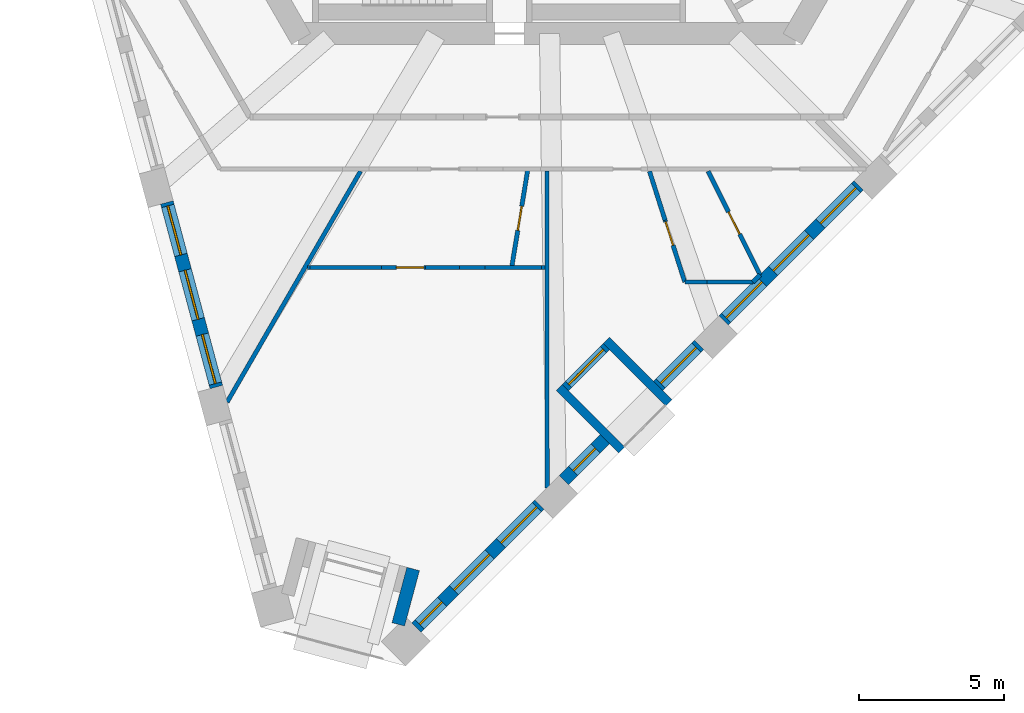
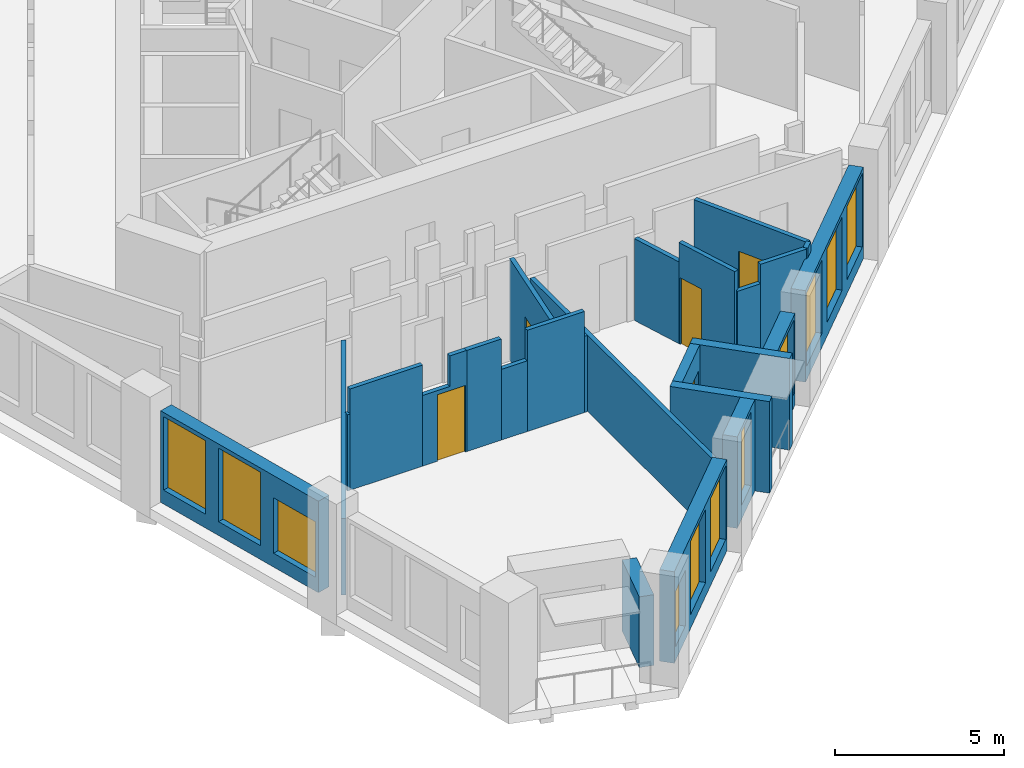
# One storey, part 2 of 13: 25 walls, 11 windows, 5 doors, 16 openings.
"""IFC4 building model written with IfcOpenShell, lengths in metres."""

from ifc_helpers import new_model, si_unit, direction, frame, frame_2d, origin, place, context, subcontext, project, spatial, polyline, rectangle, outline, extrude, material, layer, layer_set, type_object, element, fill, save


model = new_model("IFC4")

# Units and contexts
model_context = context("Model", 3, precision=1e-05, world=origin(), true_north=direction((0.0, 1.0)))
body_context = subcontext(model_context, "Body", "Model", "MODEL_VIEW")
ifc_project = project(units=[si_unit("LENGTHUNIT", "METRE"), si_unit("AREAUNIT", "SQUARE_METRE"), si_unit("VOLUMEUNIT", "CUBIC_METRE"), si_unit("PLANEANGLEUNIT", "RADIAN"), si_unit("MASSUNIT", "GRAM", prefix="KILO")], contexts=[model_context])

# Site, building, storey
site_placement = place(None, origin())
site = spatial("IfcSite", under=ifc_project, at=site_placement, CompositionType="ELEMENT")
building_placement = place(site_placement, origin())
building = spatial("IfcBuilding", under=site, at=building_placement, Name="Tramontana Tower", CompositionType="ELEMENT")
storey_placement = place(building_placement, frame((0.0, 0.0, 200.0)))
storey = spatial("IfcBuildingStorey", under=building, at=storey_placement, Name="L46", CompositionType="ELEMENT", Elevation=200.0)

# Wall, openings, windows
ifc_material_1 = material(Name="Precast concrete 60 MPa", Category="concrete")
ifc_layer_1 = layer(ifc_material_1, 0.449951171875)
ifc_layer_set_1 = layer_set([ifc_layer_1], Name="Precast concrete 60 MPa, 450 mm")
wall_type_1 = type_object("IfcWallType", Name="EW1 Stone-faced precast wall 450", PredefinedType="SOLIDWALL", material=ifc_layer_set_1)
wall_1_placement = place(storey_placement, frame((-13.11328125, -12.2041015625, 0.0), z_axis=(0.0, 0.0, 1.0), x_axis=(0.258835402268, -0.965921443251, 0.0)))
wall_1 = element("IfcWall", 1, at=wall_1_placement, inside=storey, type_object=wall_type_1, Name="External wall L46 face 0 bay 5", PredefinedType="SOLIDWALL", context=body_context, shape_type="SweptSolid", body=[
    extrude(rectangle(XDim=6.593994140625, YDim=0.449951171875, at=frame_2d((3.296875, 0.0))), origin(), (0.0, 0.0, 1.0), 3.300048828125),
])
opening_1_placement = place(wall_1_placement, frame((0.1240234375, 0.0, 0.5)))
opening_1 = element("IfcOpeningElement", 2, at=opening_1_placement, cuts=wall_1, Name="Opening M2", PredefinedType="OPENING", context=body_context, shape_type="SweptSolid", body=[
    extrude(rectangle(XDim=1.75, YDim=2.64990234375, at=frame_2d((0.875, 1.324951171875))), frame((0.0, 0.23486328125, 0.0), z_axis=(0.0, -1.0, 0.0), x_axis=(1.0, 0.0, 0.0)), (0.0, 0.0, 1.0), 0.469970703125),
])
opening_2_placement = place(wall_1_placement, frame((2.422119140625, 0.0, 0.5)))
opening_2 = element("IfcOpeningElement", 3, at=opening_2_placement, cuts=wall_1, Name="Opening M2", PredefinedType="OPENING", context=body_context, shape_type="SweptSolid", body=[
    extrude(rectangle(XDim=1.75, YDim=2.64990234375, at=frame_2d((0.875, 1.324951171875))), frame((0.0, 0.23486328125, 0.0), z_axis=(0.0, -1.0, 0.0), x_axis=(1.0, 0.0, 0.0)), (0.0, 0.0, 1.0), 0.469970703125),
])
opening_3_placement = place(wall_1_placement, frame((4.72021484375, 0.0, 0.5)))
opening_3 = element("IfcOpeningElement", 4, at=opening_3_placement, cuts=wall_1, Name="Opening M2L", PredefinedType="OPENING", context=body_context, shape_type="SweptSolid", body=[
    extrude(rectangle(XDim=1.75, YDim=2.0, at=frame_2d((0.875, 1.0))), frame((0.0, 0.23486328125, 0.0), z_axis=(0.0, -1.0, 0.0), x_axis=(1.0, 0.0, 0.0)), (0.0, 0.0, 1.0), 0.469970703125),
])
ifc_material_2 = material(Name="Aluminum frame, double glazing unit", Category="aluminium")
window_type_1 = type_object("IfcWindowType", Name="M2 Window 1.75 x 2.65", PartitioningType="SINGLE_PANEL", PredefinedType="WINDOW", material=ifc_material_2)
window_1_placement = place(opening_1_placement, origin())
window_1 = element("IfcWindow", 5, at=window_1_placement, inside=storey, type_object=window_type_1, Name="Window M2 L46 face 0 module 13", OverallHeight=2.64990234375, OverallWidth=1.75, PartitioningType="SINGLE_PANEL", PredefinedType="WINDOW", context=body_context, shape_type="SweptSolid", body=[
    extrude(rectangle(XDim=1.75, YDim=2.64990234375, at=frame_2d((0.875, 1.324951171875))), frame((0.0, 0.030029296875, 0.0), z_axis=(0.0, -1.0, 0.0), x_axis=(1.0, 0.0, 0.0)), (0.0, 0.0, 1.0), 0.06005859375),
])
fill(opening_1, window_1)
window_2_placement = place(opening_2_placement, origin())
window_2 = element("IfcWindow", 6, at=window_2_placement, inside=storey, type_object=window_type_1, Name="Window M2 L46 face 0 module 14", OverallHeight=2.64990234375, OverallWidth=1.75, PartitioningType="SINGLE_PANEL", PredefinedType="WINDOW", context=body_context, shape_type="SweptSolid", body=[
    extrude(rectangle(XDim=1.75, YDim=2.64990234375, at=frame_2d((0.875, 1.324951171875))), frame((0.0, 0.030029296875, 0.0), z_axis=(0.0, -1.0, 0.0), x_axis=(1.0, 0.0, 0.0)), (0.0, 0.0, 1.0), 0.06005859375),
])
fill(opening_2, window_2)
ifc_material_3 = material(Name="Aluminum frame, double glazing unit", Category="aluminium")
window_type_2 = type_object("IfcWindowType", Name="M2L Window 1.75 x 2", PartitioningType="SINGLE_PANEL", PredefinedType="WINDOW", material=ifc_material_3)
window_3_placement = place(opening_3_placement, origin())
window_3 = element("IfcWindow", 7, at=window_3_placement, inside=storey, type_object=window_type_2, Name="Window M2L L46 face 0 module 15", OverallHeight=2.0, OverallWidth=1.75, PartitioningType="SINGLE_PANEL", PredefinedType="WINDOW", context=body_context, shape_type="SweptSolid", body=[
    extrude(rectangle(XDim=1.75, YDim=2.0, at=frame_2d((0.875, 1.0))), frame((0.0, 0.030029296875, 0.0), z_axis=(0.0, -1.0, 0.0), x_axis=(1.0, 0.0, 0.0)), (0.0, 0.0, 1.0), 0.06005859375),
])
fill(opening_3, window_3)

wall_2_placement = place(storey_placement, frame((-4.49560546875, -26.87548828125, 0.0), z_axis=(0.0, 0.0, 1.0), x_axis=(0.707106781187, 0.707106781187, 0.0)))
wall_2 = element("IfcWall", 8, at=wall_2_placement, inside=storey, type_object=wall_type_1, Name="External wall L46 face 1 bay 1", PredefinedType="SOLIDWALL", context=body_context, shape_type="SweptSolid", body=[
    extrude(rectangle(XDim=5.994140625, YDim=0.449951171875, at=frame_2d((2.9970703125, 0.0))), origin(), (0.0, 0.0, 1.0), 3.300048828125),
])
opening_4_placement = place(wall_2_placement, frame((0.14892578125, 0.0, 0.5)))
opening_4 = element("IfcOpeningElement", 9, at=opening_4_placement, cuts=wall_2, Name="Opening N2L", PredefinedType="OPENING", context=body_context, shape_type="SweptSolid", body=[
    extrude(rectangle(XDim=1.10009765625, YDim=2.0, at=frame_2d((0.550048828125, 1.0))), frame((0.0, 0.23486328125, 0.0), z_axis=(0.0, -1.0, 0.0), x_axis=(1.0, 0.0, 0.0)), (0.0, 0.0, 1.0), 0.469970703125),
])
opening_5_placement = place(wall_2_placement, frame((1.822021484375, 0.0, 0.5)))
opening_5 = element("IfcOpeningElement", 10, at=opening_5_placement, cuts=wall_2, Name="Opening M2", PredefinedType="OPENING", context=body_context, shape_type="SweptSolid", body=[
    extrude(rectangle(XDim=1.75, YDim=2.64990234375, at=frame_2d((0.875, 1.324951171875))), frame((0.0, 0.23486328125, 0.0), z_axis=(0.0, -1.0, 0.0), x_axis=(1.0, 0.0, 0.0)), (0.0, 0.0, 1.0), 0.469970703125),
])
opening_6_placement = place(wall_2_placement, frame((4.1201171875, 0.0, 0.5)))
opening_6 = element("IfcOpeningElement", 11, at=opening_6_placement, cuts=wall_2, Name="Opening M2", PredefinedType="OPENING", context=body_context, shape_type="SweptSolid", body=[
    extrude(rectangle(XDim=1.75, YDim=2.64990234375, at=frame_2d((0.875, 1.324951171875))), frame((0.0, 0.23486328125, 0.0), z_axis=(0.0, -1.0, 0.0), x_axis=(1.0, 0.0, 0.0)), (0.0, 0.0, 1.0), 0.469970703125),
])
window_4_placement = place(opening_5_placement, origin())
window_4 = element("IfcWindow", 12, at=window_4_placement, inside=storey, type_object=window_type_1, Name="Window M2 L46 face 1 module 2", OverallHeight=2.64990234375, OverallWidth=1.75, PartitioningType="SINGLE_PANEL", PredefinedType="WINDOW", context=body_context, shape_type="SweptSolid", body=[
    extrude(rectangle(XDim=1.75, YDim=2.64990234375, at=frame_2d((0.875, 1.324951171875))), frame((0.0, 0.030029296875, 0.0), z_axis=(0.0, -1.0, 0.0), x_axis=(1.0, 0.0, 0.0)), (0.0, 0.0, 1.0), 0.06005859375),
])
fill(opening_5, window_4)
window_5_placement = place(opening_6_placement, origin())
window_5 = element("IfcWindow", 13, at=window_5_placement, inside=storey, type_object=window_type_1, Name="Window M2 L46 face 1 module 3", OverallHeight=2.64990234375, OverallWidth=1.75, PartitioningType="SINGLE_PANEL", PredefinedType="WINDOW", context=body_context, shape_type="SweptSolid", body=[
    extrude(rectangle(XDim=1.75, YDim=2.64990234375, at=frame_2d((0.875, 1.324951171875))), frame((0.0, 0.030029296875, 0.0), z_axis=(0.0, -1.0, 0.0), x_axis=(1.0, 0.0, 0.0)), (0.0, 0.0, 1.0), 0.06005859375),
])
fill(opening_6, window_5)
ifc_material_4 = material(Name="Aluminum frame, double glazing unit", Category="aluminium")
window_type_3 = type_object("IfcWindowType", Name="N2L Window 1.1 x 2", PartitioningType="SINGLE_PANEL", PredefinedType="WINDOW", material=ifc_material_4)
window_6_placement = place(opening_4_placement, origin())
window_6 = element("IfcWindow", 14, at=window_6_placement, inside=storey, type_object=window_type_3, Name="Window N2L L46 face 1 module 1", OverallHeight=2.0, OverallWidth=1.10009765625, PartitioningType="SINGLE_PANEL", PredefinedType="WINDOW", context=body_context, shape_type="SweptSolid", body=[
    extrude(rectangle(XDim=1.10009765625, YDim=2.0, at=frame_2d((0.550048828125, 1.0))), frame((0.0, 0.030029296875, 0.0), z_axis=(0.0, -1.0, 0.0), x_axis=(1.0, 0.0, 0.0)), (0.0, 0.0, 1.0), 0.06005859375),
])
fill(opening_4, window_6)

# Wall, opening, window
wall_3_placement = place(storey_placement, frame((0.591552734375, -21.788330078125, 0.0), z_axis=(0.0, 0.0, 1.0), x_axis=(0.707106781187, 0.707106781187, 0.0)))
wall_3 = element("IfcWall", 15, at=wall_3_placement, inside=storey, type_object=wall_type_1, Name="External wall L46 face 1 bay 2", PredefinedType="SOLIDWALL", context=body_context, shape_type="SweptSolid", body=[
    extrude(rectangle(XDim=1.998046875, YDim=0.449951171875, at=frame_2d((0.9990234375, 0.0))), origin(), (0.0, 0.0, 1.0), 3.300048828125),
])
opening_7_placement = place(wall_3_placement, frame((0.448974609375, 0.0, 0.5)))
opening_7 = element("IfcOpeningElement", 16, at=opening_7_placement, cuts=wall_3, Name="Opening N2", PredefinedType="OPENING", context=body_context, shape_type="SweptSolid", body=[
    extrude(rectangle(XDim=1.10009765625, YDim=2.64990234375, at=frame_2d((0.550048828125, 1.324951171875))), frame((0.0, 0.23486328125, 0.0), z_axis=(0.0, -1.0, 0.0), x_axis=(1.0, 0.0, 0.0)), (0.0, 0.0, 1.0), 0.469970703125),
])
ifc_material_5 = material(Name="Aluminum frame, double glazing unit", Category="aluminium")
window_type_4 = type_object("IfcWindowType", Name="N2 Window 1.1 x 2.65", PartitioningType="SINGLE_PANEL", PredefinedType="WINDOW", material=ifc_material_5)
window_7_placement = place(opening_7_placement, origin())
window_7 = element("IfcWindow", 17, at=window_7_placement, inside=storey, type_object=window_type_4, Name="Window N2 L46 face 1 module 4", OverallHeight=2.64990234375, OverallWidth=1.10009765625, PartitioningType="SINGLE_PANEL", PredefinedType="WINDOW", context=body_context, shape_type="SweptSolid", body=[
    extrude(rectangle(XDim=1.10009765625, YDim=2.64990234375, at=frame_2d((0.550048828125, 1.324951171875))), frame((0.0, 0.030029296875, 0.0), z_axis=(0.0, -1.0, 0.0), x_axis=(1.0, 0.0, 0.0)), (0.0, 0.0, 1.0), 0.06005859375),
])
fill(opening_7, window_7)

wall_4_placement = place(storey_placement, frame((3.841552734375, -18.538330078125, 0.0), z_axis=(0.0, 0.0, 1.0), x_axis=(0.707106781187, 0.707106781187, 0.0)))
wall_4 = element("IfcWall", 18, at=wall_4_placement, inside=storey, type_object=wall_type_1, Name="External wall L46 face 1 bay 2", PredefinedType="SOLIDWALL", context=body_context, shape_type="SweptSolid", body=[
    extrude(rectangle(XDim=1.998046875, YDim=0.449951171875, at=frame_2d((0.9990234375, 0.0))), origin(), (0.0, 0.0, 1.0), 3.300048828125),
])
opening_8_placement = place(wall_4_placement, frame((0.1240234375, 0.0, 0.5)))
opening_8 = element("IfcOpeningElement", 19, at=opening_8_placement, cuts=wall_4, Name="Opening M2", PredefinedType="OPENING", context=body_context, shape_type="SweptSolid", body=[
    extrude(rectangle(XDim=1.75, YDim=2.64990234375, at=frame_2d((0.875, 1.324951171875))), frame((0.0, 0.23486328125, 0.0), z_axis=(0.0, -1.0, 0.0), x_axis=(1.0, 0.0, 0.0)), (0.0, 0.0, 1.0), 0.469970703125),
])
window_8_placement = place(opening_8_placement, origin())
window_8 = element("IfcWindow", 20, at=window_8_placement, inside=storey, type_object=window_type_1, Name="Window M2 L46 face 1 module 6", OverallHeight=2.64990234375, OverallWidth=1.75, PartitioningType="SINGLE_PANEL", PredefinedType="WINDOW", context=body_context, shape_type="SweptSolid", body=[
    extrude(rectangle(XDim=1.75, YDim=2.64990234375, at=frame_2d((0.875, 1.324951171875))), frame((0.0, 0.030029296875, 0.0), z_axis=(0.0, -1.0, 0.0), x_axis=(1.0, 0.0, 0.0)), (0.0, 0.0, 1.0), 0.06005859375),
])
fill(opening_8, window_8)

# Wall, openings, windows
wall_5_placement = place(storey_placement, frame((6.102783203125, -16.277099609375, 0.0), z_axis=(0.0, 0.0, 1.0), x_axis=(0.707106781187, 0.707106781187, 0.0)))
wall_5 = element("IfcWall", 21, at=wall_5_placement, inside=storey, type_object=wall_type_1, Name="External wall L46 face 1 bay 3", PredefinedType="SOLIDWALL", context=body_context, shape_type="SweptSolid", body=[
    extrude(rectangle(XDim=6.59423828125, YDim=0.449951171875, at=frame_2d((3.297119140625, 0.0))), origin(), (0.0, 0.0, 1.0), 3.300048828125),
])
opening_9_placement = place(wall_5_placement, frame((0.1240234375, 0.0, 0.5)))
opening_9 = element("IfcOpeningElement", 22, at=opening_9_placement, cuts=wall_5, Name="Opening M2", PredefinedType="OPENING", context=body_context, shape_type="SweptSolid", body=[
    extrude(rectangle(XDim=1.75, YDim=2.64990234375, at=frame_2d((0.875, 1.324951171875))), frame((0.0, 0.23486328125, 0.0), z_axis=(0.0, -1.0, 0.0), x_axis=(1.0, 0.0, 0.0)), (0.0, 0.0, 1.0), 0.469970703125),
])
opening_10_placement = place(wall_5_placement, frame((2.422119140625, 0.0, 0.5)))
opening_10 = element("IfcOpeningElement", 23, at=opening_10_placement, cuts=wall_5, Name="Opening M2", PredefinedType="OPENING", context=body_context, shape_type="SweptSolid", body=[
    extrude(rectangle(XDim=1.75, YDim=2.64990234375, at=frame_2d((0.875, 1.324951171875))), frame((0.0, 0.23486328125, 0.0), z_axis=(0.0, -1.0, 0.0), x_axis=(1.0, 0.0, 0.0)), (0.0, 0.0, 1.0), 0.469970703125),
])
opening_11_placement = place(wall_5_placement, frame((4.72021484375, 0.0, 0.5)))
opening_11 = element("IfcOpeningElement", 24, at=opening_11_placement, cuts=wall_5, Name="Opening M2", PredefinedType="OPENING", context=body_context, shape_type="SweptSolid", body=[
    extrude(rectangle(XDim=1.75, YDim=2.64990234375, at=frame_2d((0.875, 1.324951171875))), frame((0.0, 0.23486328125, 0.0), z_axis=(0.0, -1.0, 0.0), x_axis=(1.0, 0.0, 0.0)), (0.0, 0.0, 1.0), 0.469970703125),
])
window_9_placement = place(opening_9_placement, origin())
window_9 = element("IfcWindow", 25, at=window_9_placement, inside=storey, type_object=window_type_1, Name="Window M2 L46 face 1 module 7", OverallHeight=2.64990234375, OverallWidth=1.75, PartitioningType="SINGLE_PANEL", PredefinedType="WINDOW", context=body_context, shape_type="SweptSolid", body=[
    extrude(rectangle(XDim=1.75, YDim=2.64990234375, at=frame_2d((0.875, 1.324951171875))), frame((0.0, 0.030029296875, 0.0), z_axis=(0.0, -1.0, 0.0), x_axis=(1.0, 0.0, 0.0)), (0.0, 0.0, 1.0), 0.06005859375),
])
fill(opening_9, window_9)
window_10_placement = place(opening_10_placement, origin())
window_10 = element("IfcWindow", 26, at=window_10_placement, inside=storey, type_object=window_type_1, Name="Window M2 L46 face 1 module 8", OverallHeight=2.64990234375, OverallWidth=1.75, PartitioningType="SINGLE_PANEL", PredefinedType="WINDOW", context=body_context, shape_type="SweptSolid", body=[
    extrude(rectangle(XDim=1.75, YDim=2.64990234375, at=frame_2d((0.875, 1.324951171875))), frame((0.0, 0.030029296875, 0.0), z_axis=(0.0, -1.0, 0.0), x_axis=(1.0, 0.0, 0.0)), (0.0, 0.0, 1.0), 0.06005859375),
])
fill(opening_10, window_10)
window_11_placement = place(opening_11_placement, origin())
window_11 = element("IfcWindow", 27, at=window_11_placement, inside=storey, type_object=window_type_1, Name="Window M2 L46 face 1 module 9", OverallHeight=2.64990234375, OverallWidth=1.75, PartitioningType="SINGLE_PANEL", PredefinedType="WINDOW", context=body_context, shape_type="SweptSolid", body=[
    extrude(rectangle(XDim=1.75, YDim=2.64990234375, at=frame_2d((0.875, 1.324951171875))), frame((0.0, 0.030029296875, 0.0), z_axis=(0.0, -1.0, 0.0), x_axis=(1.0, 0.0, 0.0)), (0.0, 0.0, 1.0), 0.06005859375),
])
fill(opening_11, window_11)

# Wall
wall_6_placement = place(storey_placement, frame((-5.126708984375, -26.76416015625, 0.0), z_axis=(0.0, 0.0, 1.0), x_axis=(0.258814190615, 0.965927127032, 0.0)))
element("IfcWall", 28, at=wall_6_placement, inside=storey, type_object=wall_type_1, Name="Corner loggia side wall L46 K51l", PredefinedType="SOLIDWALL", context=body_context, shape_type="SweptSolid", body=[
    extrude(rectangle(XDim=1.97900390625, YDim=0.449951171875, at=frame_2d((0.989501953125, 0.0))), origin(), (0.0, 0.0, 1.0), 2.550048828125),
])

# Wall, opening, door
ifc_material_6 = material(Name="Precast concrete 60 MPa", Category="concrete")
ifc_layer_2 = layer(ifc_material_6, 0.300048828125)
ifc_layer_set_2 = layer_set([ifc_layer_2], Name="LW1 Stone-faced loggia wall 300")
wall_type_2 = type_object("IfcWallType", Name="LW1 Stone-faced loggia wall 300", PredefinedType="SOLIDWALL", material=ifc_layer_set_2)
wall_7_placement = place(storey_placement, frame((0.643310546875, -18.590087890625, 0.0), z_axis=(0.0, 0.0, 1.0), x_axis=(0.707106781187, 0.707106781187, 0.0)))
wall_7 = element("IfcWall", 29, at=wall_7_placement, inside=storey, type_object=wall_type_2, Name="Loggia wall L46 G5S1.4", PredefinedType="SOLIDWALL", context=body_context, shape_type="SweptSolid", body=[
    extrude(rectangle(XDim=1.998046875, YDim=0.300048828125, at=frame_2d((0.9990234375, 0.0))), origin(), (0.0, 0.0, 1.0), 3.300048828125),
])
opening_12_placement = place(wall_7_placement, frame((0.14892578125, 0.0, 0.0)))
opening_12 = element("IfcOpeningElement", 30, at=opening_12_placement, cuts=wall_7, Name="Opening BD-5S1-04", PredefinedType="OPENING", context=body_context, shape_type="SweptSolid", body=[
    extrude(rectangle(XDim=1.699951171875, YDim=2.449951171875, at=frame_2d((0.85009765625, 1.22509765625))), frame((0.0, 0.159912109375, 0.0), z_axis=(0.0, -1.0, 0.0), x_axis=(1.0, 0.0, 0.0)), (0.0, 0.0, 1.0), 0.320068359375),
])
ifc_material_7 = material(Name="Aluminum frame, double glazing unit", Category="aluminium")
door_type_1 = type_object("IfcDoorType", Name="BD2 Sliding door 1.7 x 2.45", OperationType="SLIDING_TO_LEFT", PredefinedType="DOOR", material=ifc_material_7)
door_1_placement = place(opening_12_placement, origin())
door_1 = element("IfcDoor", 31, at=door_1_placement, inside=storey, type_object=door_type_1, Name="Loggia door L46 G5S1.4", OperationType="SLIDING_TO_LEFT", OverallHeight=2.449951171875, OverallWidth=1.699951171875, PredefinedType="DOOR", context=body_context, shape_type="SweptSolid", body=[
    extrude(rectangle(XDim=1.699951171875, YDim=2.449951171875, at=frame_2d((0.85009765625, 1.22509765625))), frame((0.0, 0.02490234375, 0.0), z_axis=(0.0, -1.0, 0.0), x_axis=(1.0, 0.0, 0.0)), (0.0, 0.0, 1.0), 0.050048828125),
])
fill(opening_12, door_1)

# Walls
for number, where, z_axis, x_axis, name in (
    (32, (2.587646484375, -20.746826171875, 0.0), (0.0, 0.0, 1.0), (-0.707066755897, 0.707146804211, 0.0), "Loggia return L46 G5S1.4a"),
    (33, (4.212646484375, -19.121826171875, 0.0), (0.0, 0.0, 1.0), (-0.707066755897, 0.707146804211, 0.0), "Loggia return L46 G5S1.4b"),
):
    element("IfcWall", number, at=place(storey_placement, frame(where, z_axis=z_axis, x_axis=x_axis)), inside=storey, type_object=wall_type_2, Name=name, PredefinedType="SOLIDWALL", context=body_context, shape_type="SweptSolid", body=[
        extrude(rectangle(XDim=3.0498046875, YDim=0.300048828125, at=frame_2d((1.52490234375, 0.0))), origin(), (0.0, 0.0, 1.0), 3.300048828125),
    ])
ifc_material_8 = material(Name="Gypsum board partition")
ifc_layer_3 = layer(ifc_material_8, 0.14990234375)
ifc_layer_set_3 = layer_set([ifc_layer_3], Name="PARTITION 150")
wall_type_3 = type_object("IfcWallType", Name="PARTITION 150", PredefinedType="PARTITIONING", material=ifc_layer_set_3)
wall_8_placement = place(storey_placement, frame((-11.033935546875, -19.0947265625, 0.0), z_axis=(0.0, 0.0, 1.0), x_axis=(0.500337694151, 0.86583034817, 0.0)))
element("IfcWall", 34, at=wall_8_placement, inside=storey, type_object=wall_type_3, Name="Wall v50-pw04-0", PredefinedType="PARTITIONING", context=body_context, shape_type="SweptSolid", body=[
    extrude(rectangle(XDim=9.204833984375, YDim=0.14990234375, at=frame_2d((4.6025390625, 0.0))), origin(), (0.0, 0.0, 1.0), 2.75),
])

# Wall, opening, door
wall_9_placement = place(storey_placement, frame((-0.6552734375, -11.052001953125, 0.0), z_axis=(0.0, 0.0, 1.0), x_axis=(-0.162305002106, -0.986740637803, 0.0)))
wall_9 = element("IfcWall", 35, at=wall_9_placement, inside=storey, type_object=wall_type_3, Name="Wall v50-pw09", PredefinedType="PARTITIONING", context=body_context, shape_type="SweptSolid", body=[
    extrude(rectangle(XDim=3.441650390625, YDim=0.14990234375, at=frame_2d((1.720703125, 0.0))), origin(), (0.0, 0.0, 1.0), 3.64990234375),
])
opening_13_placement = place(wall_9_placement, frame((1.295654296875, 0.0, 0.0)))
opening_13 = element("IfcOpeningElement", 36, at=opening_13_placement, cuts=wall_9, Name="Opening B5A-20", PredefinedType="OPENING", context=body_context, shape_type="SweptSolid", body=[
    extrude(rectangle(XDim=0.85009765625, YDim=2.39990234375, at=frame_2d((0.425048828125, 1.199951171875))), frame((0.0, 0.0849609375, 0.0), z_axis=(0.0, -1.0, 0.0), x_axis=(1.0, 0.0, 0.0)), (0.0, 0.0, 1.0), 0.169921875),
])
ifc_material_9 = material(Name="Painted timber", Category="wood")
door_type_2 = type_object("IfcDoorType", Name="DOOR BATH 850", OperationType="SINGLE_SWING_LEFT", PredefinedType="DOOR", material=ifc_material_9)
door_2_placement = place(opening_13_placement, origin())
door_2 = element("IfcDoor", 37, at=door_2_placement, inside=storey, type_object=door_type_2, Name="Door B5A-20", OperationType="SINGLE_SWING_RIGHT", OverallHeight=2.39990234375, OverallWidth=0.85009765625, PredefinedType="DOOR", context=body_context, shape_type="SweptSolid", body=[
    extrude(rectangle(XDim=0.85009765625, YDim=2.39990234375, at=frame_2d((0.425048828125, 1.199951171875))), frame((0.0, 0.02490234375, 0.0), z_axis=(0.0, -1.0, 0.0), x_axis=(1.0, 0.0, 0.0)), (0.0, 0.0, 1.0), 0.050048828125),
])
fill(opening_13, door_2)

# Walls
wall_10_placement = place(storey_placement, frame((0.004150390625, -11.125, 0.0), z_axis=(0.0, 0.0, 1.0), x_axis=(0.00035743804, -0.999999936119, 0.0)))
element("IfcWall", 38, at=wall_10_placement, inside=storey, type_object=wall_type_3, Name="Wall v50-pw10-0", PredefinedType="PARTITIONING", context=body_context, shape_type="SweptSolid", body=[
    extrude(rectangle(XDim=10.928466796875, YDim=0.14990234375, at=frame_2d((5.46435546875, 0.0))), origin(), (0.0, 0.0, 1.0), 2.75),
])
wall_11_placement = place(storey_placement, frame((-0.069580078125, -14.449951171875, 0.0), z_axis=(0.0, 0.0, 1.0), x_axis=(-1.0, 0.0, 0.0)))
element("IfcWall", 39, at=wall_11_placement, inside=storey, type_object=wall_type_3, Name="Wall v50-pw11-0", PredefinedType="PARTITIONING", context=body_context, shape_type="SweptSolid", body=[
    extrude(rectangle(XDim=0.107177734375, YDim=0.14990234375, at=frame_2d((0.0537109375, 0.0))), origin(), (0.0, 0.0, 1.0), 2.75),
])
wall_12_placement = place(storey_placement, frame((-0.1767578125, -14.449951171875, 0.0), z_axis=(0.0, 0.0, 1.0), x_axis=(-1.0, 0.0, 0.0)))
element("IfcWall", 40, at=wall_12_placement, inside=storey, type_object=wall_type_3, Name="Wall v50-pw11-1", PredefinedType="PARTITIONING", context=body_context, shape_type="SweptSolid", body=[
    extrude(rectangle(XDim=1.949951171875, YDim=0.14990234375, at=frame_2d((0.97509765625, 0.0))), origin(), (0.0, 0.0, 1.0), 3.64990234375),
])
wall_13_placement = place(storey_placement, frame((-2.126708984375, -14.449951171875, 0.0), z_axis=(0.0, 0.0, 1.0), x_axis=(-1.0, 0.0, 0.0)))
element("IfcWall", 41, at=wall_13_placement, inside=storey, type_object=wall_type_3, Name="Wall v50-pw11-2", PredefinedType="PARTITIONING", context=body_context, shape_type="SweptSolid", body=[
    extrude(rectangle(XDim=0.888671875, YDim=0.14990234375, at=frame_2d((0.4443359375, 0.0))), origin(), (0.0, 0.0, 1.0), 2.550048828125),
])
wall_14_placement = place(storey_placement, frame((-3.015380859375, -14.449951171875, 0.0), z_axis=(0.0, 0.0, 1.0), x_axis=(-1.0, 0.0, 0.0)))
element("IfcWall", 42, at=wall_14_placement, inside=storey, type_object=wall_type_3, Name="Wall v50-pw11-3", PredefinedType="PARTITIONING", context=body_context, shape_type="SweptSolid", body=[
    extrude(rectangle(XDim=1.177978515625, YDim=0.14990234375, at=frame_2d((0.5888671875, 0.0))), origin(), (0.0, 0.0, 1.0), 3.64990234375),
])

# Wall, opening, door
wall_15_placement = place(storey_placement, frame((-4.193359375, -14.449951171875, 0.0), z_axis=(0.0, 0.0, 1.0), x_axis=(-1.0, 0.0, 0.0)))
wall_15 = element("IfcWall", 43, at=wall_15_placement, inside=storey, type_object=wall_type_3, Name="Wall v50-pw11-4", PredefinedType="PARTITIONING", context=body_context, shape_type="SweptSolid", body=[
    extrude(outline(polyline([(0.0, 0.0), (1.505859375, 0.0), (1.505859375, 2.550048828125), (0.5751953125, 2.550048828125), (0.5751953125, 3.64990234375), (0.0, 3.64990234375), (0.0, 0.0)])), frame((0.0, 0.074951171875, 0.0), z_axis=(0.0, -1.0, 0.0), x_axis=(1.0, 0.0, 0.0)), (0.0, 0.0, 1.0), 0.14990234375),
])
opening_14_placement = place(wall_15_placement, frame((0.050048828125, 0.0, 0.0)))
opening_14 = element("IfcOpeningElement", 44, at=opening_14_placement, cuts=wall_15, Name="Opening B5A-18", PredefinedType="OPENING", context=body_context, shape_type="SweptSolid", body=[
    extrude(rectangle(XDim=0.949951171875, YDim=2.39990234375, at=frame_2d((0.47509765625, 1.199951171875))), frame((0.0, 0.0849609375, 0.0), z_axis=(0.0, -1.0, 0.0), x_axis=(1.0, 0.0, 0.0)), (0.0, 0.0, 1.0), 0.169921875),
])
ifc_material_10 = material(Name="Painted timber", Category="wood")
door_type_3 = type_object("IfcDoorType", Name="DOOR ROOM 950", OperationType="SINGLE_SWING_LEFT", PredefinedType="DOOR", material=ifc_material_10)
door_3_placement = place(opening_14_placement, origin())
door_3 = element("IfcDoor", 45, at=door_3_placement, inside=storey, type_object=door_type_3, Name="Door B5A-18", OperationType="SINGLE_SWING_RIGHT", OverallHeight=2.39990234375, OverallWidth=0.949951171875, PredefinedType="DOOR", context=body_context, shape_type="SweptSolid", body=[
    extrude(rectangle(XDim=0.949951171875, YDim=2.39990234375, at=frame_2d((0.47509765625, 1.199951171875))), frame((0.0, 0.02490234375, 0.0), z_axis=(0.0, -1.0, 0.0), x_axis=(1.0, 0.0, 0.0)), (0.0, 0.0, 1.0), 0.050048828125),
])
fill(opening_14, door_3)

# Walls
wall_16_placement = place(storey_placement, frame((-5.69921875, -14.449951171875, 0.0), z_axis=(0.0, 0.0, 1.0), x_axis=(-1.0, 0.0, 0.0)))
element("IfcWall", 46, at=wall_16_placement, inside=storey, type_object=wall_type_3, Name="Wall v50-pw11-5", PredefinedType="PARTITIONING", context=body_context, shape_type="SweptSolid", body=[
    extrude(rectangle(XDim=2.4755859375, YDim=0.14990234375, at=frame_2d((1.23779296875, 0.0))), origin(), (0.0, 0.0, 1.0), 3.64990234375),
])
wall_17_placement = place(storey_placement, frame((-8.1748046875, -14.449951171875, 0.0), z_axis=(0.0, 0.0, 1.0), x_axis=(-1.0, 0.0, 0.0)))
element("IfcWall", 47, at=wall_17_placement, inside=storey, type_object=wall_type_3, Name="Wall v50-pw11-6", PredefinedType="PARTITIONING", context=body_context, shape_type="SweptSolid", body=[
    extrude(rectangle(XDim=0.08837890625, YDim=0.14990234375, at=frame_2d((0.044189453125, 0.0))), origin(), (0.0, 0.0, 1.0), 2.75),
])

# Wall, opening, door
wall_18_placement = place(storey_placement, frame((4.0810546875, -12.818115234375, 0.0), z_axis=(0.0, 0.0, 1.0), x_axis=(0.303365803951, -0.952874172697, 0.0)))
wall_18 = element("IfcWall", 48, at=wall_18_placement, inside=storey, type_object=wall_type_3, Name="Wall v50-pw14-0", PredefinedType="PARTITIONING", context=body_context, shape_type="SweptSolid", body=[
    extrude(rectangle(XDim=2.2373046875, YDim=0.14990234375, at=frame_2d((1.11865234375, 0.0))), origin(), (0.0, 0.0, 1.0), 3.64990234375),
])
opening_15_placement = place(wall_18_placement, frame((0.05517578125, 0.0, 0.0)))
opening_15 = element("IfcOpeningElement", 49, at=opening_15_placement, cuts=wall_18, Name="Opening B5A-09", PredefinedType="OPENING", context=body_context, shape_type="SweptSolid", body=[
    extrude(rectangle(XDim=0.85009765625, YDim=2.39990234375, at=frame_2d((0.425048828125, 1.199951171875))), frame((0.0, 0.0849609375, 0.0), z_axis=(0.0, -1.0, 0.0), x_axis=(1.0, 0.0, 0.0)), (0.0, 0.0, 1.0), 0.169921875),
])
door_4_placement = place(opening_15_placement, origin())
door_4 = element("IfcDoor", 50, at=door_4_placement, inside=storey, type_object=door_type_2, Name="Door B5A-09", OperationType="SINGLE_SWING_LEFT", OverallHeight=2.39990234375, OverallWidth=0.85009765625, PredefinedType="DOOR", context=body_context, shape_type="SweptSolid", body=[
    extrude(rectangle(XDim=0.85009765625, YDim=2.39990234375, at=frame_2d((0.425048828125, 1.199951171875))), frame((0.0, 0.02490234375, 0.0), z_axis=(0.0, -1.0, 0.0), x_axis=(1.0, 0.0, 0.0)), (0.0, 0.0, 1.0), 0.050048828125),
])
fill(opening_15, door_4)

# Wall
wall_19_placement = place(storey_placement, frame((4.0810546875, -12.818115234375, 0.0), z_axis=(0.0, 0.0, 1.0), x_axis=(-0.3033794624, 0.95286982416, 0.0)))
element("IfcWall", 51, at=wall_19_placement, inside=storey, type_object=wall_type_3, Name="Wall v50-pw14-1", PredefinedType="PARTITIONING", context=body_context, shape_type="SweptSolid", body=[
    extrude(rectangle(XDim=1.77685546875, YDim=0.14990234375, at=frame_2d((0.888427734375, 0.0))), origin(), (0.0, 0.0, 1.0), 2.949951171875),
])

# Wall, opening, door
wall_20_placement = place(storey_placement, frame((7.356689453125, -14.705078125, 0.0), z_axis=(0.0, 0.0, 1.0), x_axis=(-0.447408746794, 0.894329588738, 0.0)))
wall_20 = element("IfcWall", 52, at=wall_20_placement, inside=storey, type_object=wall_type_3, Name="Wall v50-pw15", PredefinedType="PARTITIONING", context=body_context, shape_type="SweptSolid", body=[
    extrude(rectangle(XDim=4.003173828125, YDim=0.14990234375, at=frame_2d((2.00146484375, 0.0))), origin(), (0.0, 0.0, 1.0), 3.64990234375),
])
opening_16_placement = place(wall_20_placement, frame((1.57666015625, 0.0, 0.0)))
opening_16 = element("IfcOpeningElement", 53, at=opening_16_placement, cuts=wall_20, Name="Opening B5A-10", PredefinedType="OPENING", context=body_context, shape_type="SweptSolid", body=[
    extrude(rectangle(XDim=0.85009765625, YDim=2.39990234375, at=frame_2d((0.425048828125, 1.199951171875))), frame((0.0, 0.0849609375, 0.0), z_axis=(0.0, -1.0, 0.0), x_axis=(1.0, 0.0, 0.0)), (0.0, 0.0, 1.0), 0.169921875),
])
door_5_placement = place(opening_16_placement, origin())
door_5 = element("IfcDoor", 54, at=door_5_placement, inside=storey, type_object=door_type_2, Name="Door B5A-10", OperationType="SINGLE_SWING_RIGHT", OverallHeight=2.39990234375, OverallWidth=0.85009765625, PredefinedType="DOOR", context=body_context, shape_type="SweptSolid", body=[
    extrude(rectangle(XDim=0.85009765625, YDim=2.39990234375, at=frame_2d((0.425048828125, 1.199951171875))), frame((0.0, 0.02490234375, 0.0), z_axis=(0.0, -1.0, 0.0), x_axis=(1.0, 0.0, 0.0)), (0.0, 0.0, 1.0), 0.050048828125),
])
fill(opening_16, door_5)

# Walls
wall_21_placement = place(storey_placement, frame((7.11181640625, -14.949951171875, 0.0), z_axis=(0.0, 0.0, 1.0), x_axis=(-1.0, 0.0, 0.0)))
element("IfcWall", 55, at=wall_21_placement, inside=storey, type_object=wall_type_3, Name="Wall v50-pw17-0", PredefinedType="PARTITIONING", context=body_context, shape_type="SweptSolid", body=[
    extrude(rectangle(XDim=1.578369140625, YDim=0.14990234375, at=frame_2d((0.7890625, 0.0))), origin(), (0.0, 0.0, 1.0), 3.64990234375),
])
wall_22_placement = place(storey_placement, frame((5.533447265625, -14.949951171875, 0.0), z_axis=(0.0, 0.0, 1.0), x_axis=(-1.0, 0.0, 0.0)))
element("IfcWall", 56, at=wall_22_placement, inside=storey, type_object=wall_type_3, Name="Wall v50-pw17-1", PredefinedType="PARTITIONING", context=body_context, shape_type="SweptSolid", body=[
    extrude(rectangle(XDim=0.773681640625, YDim=0.14990234375, at=frame_2d((0.38671875, 0.0))), origin(), (0.0, 0.0, 1.0), 2.949951171875),
])
wall_23_placement = place(storey_placement, frame((7.356689453125, -14.705078125, 0.0), z_axis=(0.0, 0.0, 1.0), x_axis=(-0.707106781187, -0.707106781187, 0.0)))
element("IfcWall", 57, at=wall_23_placement, inside=storey, type_object=wall_type_3, Name="Wall v50-pwc00", PredefinedType="PARTITIONING", context=body_context, shape_type="SweptSolid", body=[
    extrude(rectangle(XDim=0.34619140625, YDim=0.14990234375, at=frame_2d((0.173095703125, 0.0))), origin(), (0.0, 0.0, 1.0), 3.64990234375),
])

save(model, "model.ifc")
